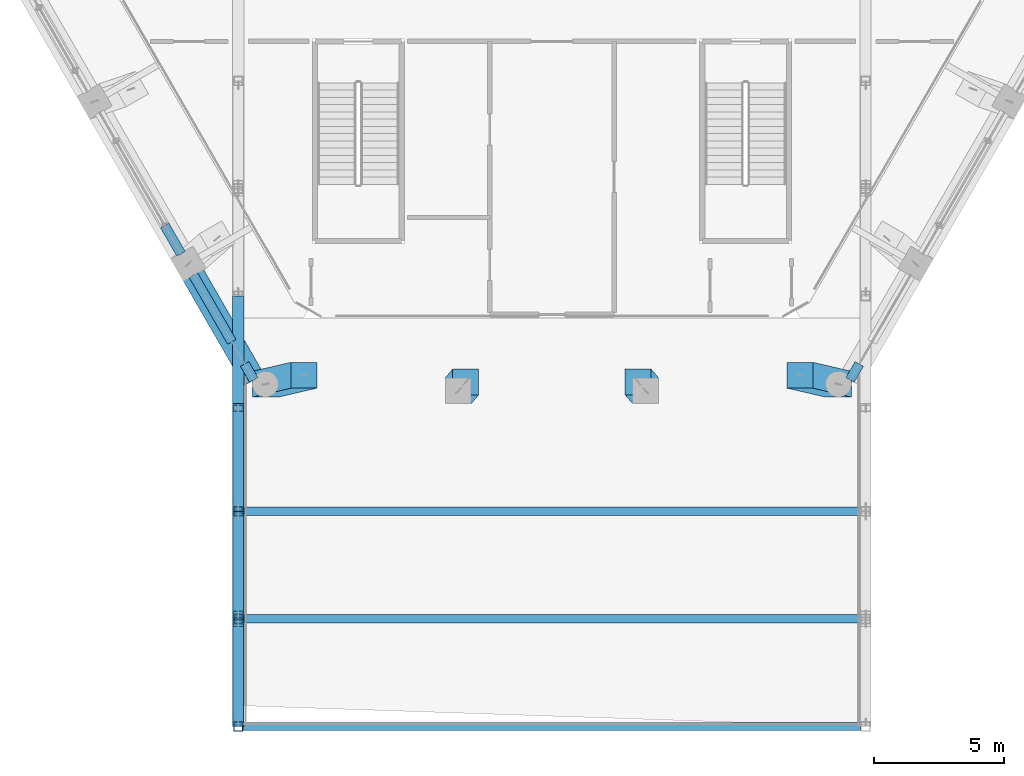
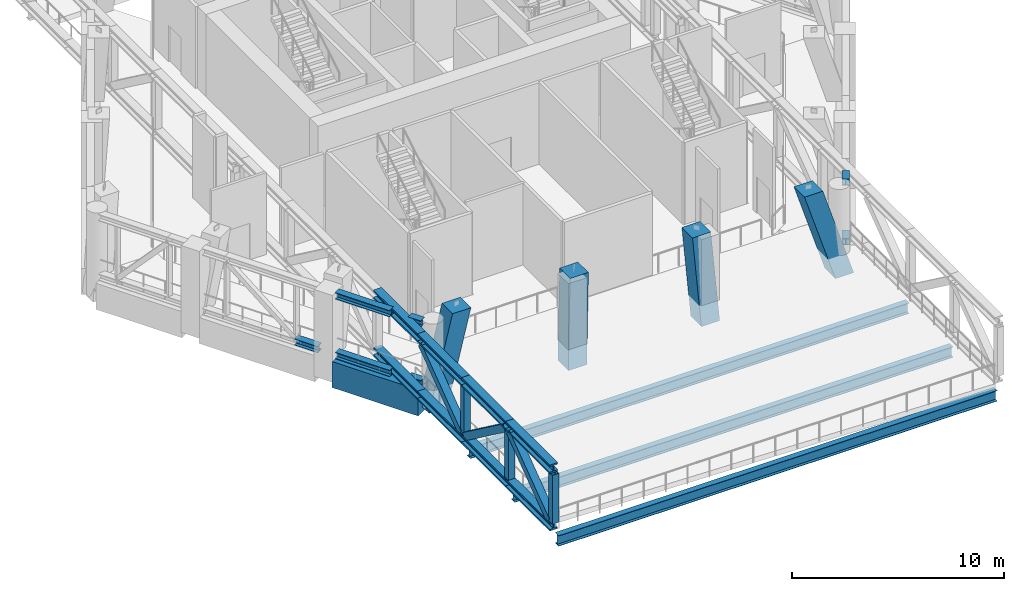
# One storey, part 2 of 22: 25 members, 4 beams.
"""IFC4 building model written with IfcOpenShell, lengths in metres."""

from ifc_helpers import new_model, si_unit, direction, frame, origin, origin_2d, place, context, subcontext, project, spatial, rectangle, hollow_rectangle, i_section, extrude, material, material_profile, profile_set, type_object, element, save


model = new_model("IFC4")

# Units and contexts
model_context = context("Model", 3, precision=1e-05, world=origin(), true_north=direction((0.0, 1.0)))
body_context = subcontext(model_context, "Body", "Model", "MODEL_VIEW")
ifc_project = project(units=[si_unit("LENGTHUNIT", "METRE"), si_unit("AREAUNIT", "SQUARE_METRE"), si_unit("VOLUMEUNIT", "CUBIC_METRE"), si_unit("PLANEANGLEUNIT", "RADIAN"), si_unit("MASSUNIT", "GRAM", prefix="KILO")], contexts=[model_context])

# Site, building, storey
site_placement = place(None, origin())
site = spatial("IfcSite", under=ifc_project, at=site_placement, CompositionType="ELEMENT")
building_placement = place(site_placement, origin())
building = spatial("IfcBuilding", under=site, at=building_placement, Name="Ostrander Bayou Hotel Tower", CompositionType="ELEMENT")
storey_placement = place(building_placement, frame((0.0, 0.0, 209.5)))
storey = spatial("IfcBuildingStorey", under=building, at=storey_placement, Name="L52", CompositionType="ELEMENT", Elevation=209.5)

# Members
ifc_material_1 = material(Name="Steel ASTM A992", Category="steel")
ifc_material_profile_1 = material_profile(ifc_material_1, i_section(OverallWidth=0.37255859375, OverallDepth=0.36767578125, WebThickness=0.014892578125, FlangeThickness=0.02392578125, at=origin_2d()))
ifc_profile_set_1 = profile_set([ifc_material_profile_1], Name="Steel ASTM A992")
member_type_1 = type_object("IfcMemberType", Name="BT5 belt truss chord W14x120", PredefinedType="CHORD", material=ifc_profile_set_1)
member_1_placement = place(storey_placement, frame((-14.947021484375, -10.810791015625, 0.183837890625), z_axis=(0.499996560828, -0.866027389382, 0.0), x_axis=(0.866027389382, 0.499996560828, 0.0)))
element("IfcMember", 1, at=member_1_placement, inside=storey, type_object=member_type_1, Name="BT5 L52 SW-2B2", PredefinedType="CHORD", context=body_context, shape_type="SweptSolid", body=[
    extrude(i_section(OverallWidth=0.37255859375, OverallDepth=0.36767578125, WebThickness=0.014892578125, FlangeThickness=0.02392578125, at=origin_2d()), origin(), (0.0, 0.0, 1.0), 1.25927734375),
])
member_2_placement = place(storey_placement, frame((-13.847412109375, -12.71533203125, 0.183837890625), z_axis=(0.500003486784, -0.866023390679, 0.0), x_axis=(0.866023390679, 0.500003486784, 0.0)))
element("IfcMember", 2, at=member_2_placement, inside=storey, type_object=member_type_1, Name="BT5 L52 SW-3B1", PredefinedType="CHORD", context=body_context, shape_type="SweptSolid", body=[
    extrude(i_section(OverallWidth=0.37255859375, OverallDepth=0.36767578125, WebThickness=0.014892578125, FlangeThickness=0.02392578125, at=origin_2d()), origin(), (0.0, 0.0, 1.0), 2.98291015625),
])
member_3_placement = place(storey_placement, frame((-11.864013671875, -16.15087890625, 0.183837890625), z_axis=(0.499900536046, -0.86608282171, 0.0), x_axis=(0.86608282171, 0.499900536046, 0.0)))
element("IfcMember", 3, at=member_3_placement, inside=storey, type_object=member_type_1, Name="BT5 L52 SW-3B2", PredefinedType="CHORD", context=body_context, shape_type="SweptSolid", body=[
    extrude(i_section(OverallWidth=0.37255859375, OverallDepth=0.36767578125, WebThickness=0.014892578125, FlangeThickness=0.02392578125, at=origin_2d()), origin(), (0.0, 0.0, 1.0), 0.712158203125),
])
member_4_placement = place(storey_placement, frame((-13.847412109375, -12.71533203125, 3.6162109375), z_axis=(0.500003486784, -0.866023390679, 0.0), x_axis=(0.866023390679, 0.500003486784, 0.0)))
element("IfcMember", 4, at=member_4_placement, inside=storey, type_object=member_type_1, Name="BT5 L52 SW-3T1", PredefinedType="CHORD", context=body_context, shape_type="SweptSolid", body=[
    extrude(i_section(OverallWidth=0.37255859375, OverallDepth=0.36767578125, WebThickness=0.014892578125, FlangeThickness=0.02392578125, at=origin_2d()), origin(), (0.0, 0.0, 1.0), 2.98291015625),
])
for number, where, z_axis, x_axis, name in (
    (5, (-11.864013671875, -16.15087890625, 3.6162109375), (0.499900536046, -0.86608282171, 0.0), (0.86608282171, 0.499900536046, 0.0), "BT5 L52 SW-3T2"),
    (6, (11.508056640625, -16.767578125, 0.183837890625), (0.499900536046, 0.86608282171, 0.0), (-0.86608282171, 0.499900536046, 0.0), "BT5 L52 SE-1B1"),
    (7, (11.508056640625, -16.767578125, 3.6162109375), (0.499900536046, 0.86608282171, 0.0), (-0.86608282171, 0.499900536046, 0.0), "BT5 L52 SE-1T1"),
):
    element("IfcMember", number, at=place(storey_placement, frame(where, z_axis=z_axis, x_axis=x_axis)), inside=storey, type_object=member_type_1, Name=name, PredefinedType="CHORD", context=body_context, shape_type="SweptSolid", body=[
        extrude(i_section(OverallWidth=0.37255859375, OverallDepth=0.36767578125, WebThickness=0.014892578125, FlangeThickness=0.02392578125, at=origin_2d()), origin(), (0.0, 0.0, 1.0), 0.712158203125),
    ])
ifc_material_2 = material(Name="Concrete f'c 60 MPa", Category="concrete")
ifc_material_profile_2 = material_profile(ifc_material_2, rectangle(XDim=1.0, YDim=1.0, at=origin_2d()))
ifc_profile_set_2 = profile_set([ifc_material_profile_2], Name="Concrete f'c 60 MPa")
member_type_2 = type_object("IfcMemberType", Name="KC3 kinked column 1000 x 1000 mm f'c 60 MPa", PredefinedType="STRUT", material=ifc_profile_set_2)
member_5_placement = place(storey_placement, frame((-11.06103515625, -16.9326171875, -1.199951171875), z_axis=(0.0, 0.0, 1.0), x_axis=(1.0, 0.0, 0.0)))
element("IfcMember", 8, at=member_5_placement, inside=storey, type_object=member_type_2, Name="KC3 L52 K2", PredefinedType="STRUT", context=body_context, shape_type="SweptSolid", body=[
    extrude(rectangle(XDim=1.0, YDim=1.0, at=origin_2d()), origin(), (0.283852483487, 0.065813419324, 0.956606691099), 5.226806640625),
])
member_6_placement = place(storey_placement, frame((11.06103515625, -16.9326171875, -1.199951171875), z_axis=(0.0, 0.0, 1.0), x_axis=(1.0, 0.0, 0.0)))
element("IfcMember", 9, at=member_6_placement, inside=storey, type_object=member_type_2, Name="KC3 L52 K3", PredefinedType="STRUT", context=body_context, shape_type="SweptSolid", body=[
    extrude(rectangle(XDim=1.0, YDim=1.0, at=origin_2d()), origin(), (-0.283852483487, 0.065813419324, 0.956606691099), 5.226806640625),
])
member_7_placement = place(storey_placement, frame((-3.6181640625, -17.187255859375, -1.199951171875), z_axis=(0.0, 0.0, 1.0), x_axis=(-1.0, 0.0, 0.0)))
element("IfcMember", 10, at=member_7_placement, inside=storey, type_object=member_type_2, Name="KC3 L52 S1", PredefinedType="STRUT", context=body_context, shape_type="SweptSolid", body=[
    extrude(rectangle(XDim=1.0, YDim=1.0, at=origin_2d()), origin(), (-0.057537314589, -0.067167397673, 0.996081321037), 5.019775390625),
])
member_8_placement = place(storey_placement, frame((3.6181640625, -17.187255859375, -1.199951171875), z_axis=(0.0, 0.0, 1.0), x_axis=(-1.0, 0.0, 0.0)))
element("IfcMember", 11, at=member_8_placement, inside=storey, type_object=member_type_2, Name="KC3 L52 S2", PredefinedType="STRUT", context=body_context, shape_type="SweptSolid", body=[
    extrude(rectangle(XDim=1.0, YDim=1.0, at=origin_2d()), origin(), (0.057537314589, -0.067167397673, 0.996081321037), 5.019775390625),
])

# Beams
ifc_material_3 = material(Name="Concrete f'c 60 MPa", Category="concrete")
ifc_material_profile_3 = material_profile(ifc_material_3, rectangle(XDim=0.89990234375, YDim=1.5, at=origin_2d()))
ifc_profile_set_3 = profile_set([ifc_material_profile_3], Name="Concrete f'c 60 MPa")
beam_type_1 = type_object("IfcBeamType", Name="SPB3 belt spandrel beam 900 x 1500 mm f'c 60 MPa", PredefinedType="SPANDREL", material=ifc_profile_set_3)
beam_placement = place(storey_placement, frame((-13.847412109375, -12.71533203125, -0.75), z_axis=(0.499966354109, -0.866044828377, 0.0), x_axis=(0.866044828377, 0.499966354109, 0.0)))
element("IfcBeam", 12, at=beam_placement, inside=storey, type_object=beam_type_1, Name="SP3 L52 SW-3", PredefinedType="SPANDREL", context=body_context, shape_type="SweptSolid", body=[
    extrude(rectangle(XDim=0.89990234375, YDim=1.5, at=origin_2d()), origin(), (0.0, 0.0, 1.0), 4.678955078125),
])
ifc_material_4 = material(Name="Steel ASTM A992", Category="steel")
ifc_material_profile_4 = material_profile(ifc_material_4, i_section(OverallWidth=0.32373046875, OverallDepth=0.611083984375, WebThickness=0.0126953125, FlangeThickness=0.01904296875, at=origin_2d()))
ifc_profile_set_4 = profile_set([ifc_material_profile_4], Name="Steel ASTM A992")
beam_type_2 = type_object("IfcBeamType", Name="TF2 bar floor beam W24x104", PredefinedType="BEAM", material=ifc_profile_set_4)
for number, where, z_axis, x_axis, name in (
    (13, (-11.93212890625, -21.840576171875, -0.605712890625), (1.0, 0.0, 0.0), (0.0, 1.0, 0.0), "TF2 SB4S L5-1"),
    (14, (-11.93212890625, -25.995361328125, -0.605712890625), (1.0, 0.0, 0.0), (0.0, 1.0, 0.0), "TF2 SB4S L5-2"),
    (15, (-11.93212890625, -30.14990234375, -0.605712890625), (1.0, 0.0, 0.0), (0.0, 1.0, 0.0), "TF2 SB4S L5-3"),
):
    element("IfcBeam", number, at=place(storey_placement, frame(where, z_axis=z_axis, x_axis=x_axis)), inside=storey, type_object=beam_type_2, Name=name, PredefinedType="BEAM", context=body_context, shape_type="SweptSolid", body=[
        extrude(i_section(OverallWidth=0.32373046875, OverallDepth=0.611083984375, WebThickness=0.0126953125, FlangeThickness=0.01904296875, at=origin_2d()), origin(), (0.0, 0.0, 1.0), 23.8642578125),
    ])

# Members
ifc_material_5 = material(Name="Steel ASTM A992", Category="steel")
ifc_material_profile_5 = material_profile(ifc_material_5, i_section(OverallWidth=0.43212890625, OverallDepth=0.497802734375, WebThickness=0.0556640625, FlangeThickness=0.0888671875, at=origin_2d()))
ifc_profile_set_5 = profile_set([ifc_material_profile_5], Name="Steel ASTM A992")
member_type_3 = type_object("IfcMemberType", Name="TT1 through-truss chord W14x500", PredefinedType="CHORD", material=ifc_profile_set_5)
for number, where, z_axis, x_axis, name in (
    (16, (-12.110107421875, -13.531005859375, 0.248779296875), (0.0, -1.0, 0.0), (1.0, 0.0, 0.0), "TT1 SB4A B11"),
    (17, (-12.110107421875, -13.531005859375, 3.551025390625), (0.0, -1.0, 0.0), (1.0, 0.0, 0.0), "TT1 SB4A T11"),
    (18, (-12.110107421875, -17.685791015625, 0.248779296875), (0.0, -1.0, 0.0), (1.0, 0.0, 0.0), "TT1 SB4A B12"),
    (19, (-12.110107421875, -17.685791015625, 3.551025390625), (0.0, -1.0, 0.0), (1.0, 0.0, 0.0), "TT1 SB4A T12"),
    (20, (-12.110107421875, -21.840576171875, 0.248779296875), (0.0, -1.0, 0.0), (1.0, 0.0, 0.0), "TT1 SB4A B13"),
    (21, (-12.110107421875, -21.840576171875, 3.551025390625), (0.0, -1.0, 0.0), (1.0, 0.0, 0.0), "TT1 SB4A T13"),
):
    element("IfcMember", number, at=place(storey_placement, frame(where, z_axis=z_axis, x_axis=x_axis)), inside=storey, type_object=member_type_3, Name=name, PredefinedType="CHORD", context=body_context, shape_type="SweptSolid", body=[
        extrude(i_section(OverallWidth=0.43212890625, OverallDepth=0.497802734375, WebThickness=0.0556640625, FlangeThickness=0.0888671875, at=origin_2d()), origin(), (0.0, 0.0, 1.0), 4.15478515625),
    ])
for number, where, z_axis, x_axis, name in (
    (22, (-12.110107421875, -25.995361328125, 0.248779296875), (0.0, -1.0, 0.0), (1.0, 0.0, 0.0), "TT1 SB4A B14"),
    (23, (-12.110107421875, -25.995361328125, 3.551025390625), (0.0, -1.0, 0.0), (1.0, 0.0, 0.0), "TT1 SB4A T14"),
):
    element("IfcMember", number, at=place(storey_placement, frame(where, z_axis=z_axis, x_axis=x_axis)), inside=storey, type_object=member_type_3, Name=name, PredefinedType="CHORD", context=body_context, shape_type="SweptSolid", body=[
        extrude(i_section(OverallWidth=0.43212890625, OverallDepth=0.497802734375, WebThickness=0.0556640625, FlangeThickness=0.0888671875, at=origin_2d()), origin(), (0.0, 0.0, 1.0), 4.154541015625),
    ])
ifc_material_6 = material(Name="Steel ASTM A500 Gr C", Category="steel")
ifc_material_profile_6 = material_profile(ifc_material_6, hollow_rectangle(XDim=0.355712890625, YDim=0.355712890625, WallThickness=0.0146484375, at=origin_2d()))
ifc_profile_set_6 = profile_set([ifc_material_profile_6], Name="Steel ASTM A500 Gr C")
member_type_4 = type_object("IfcMemberType", Name="TT2 through-truss post HSS14x14x5/8", PredefinedType="POST", material=ifc_profile_set_6)
for number, where, z_axis, x_axis, name in (
    (24, (-12.110107421875, -21.840576171875, 0.497802734375), (0.0, 0.0, 1.0), (1.0, 0.0, 0.0), "TT2 SB4A P13"),
    (25, (-12.110107421875, -25.995361328125, 0.497802734375), (0.0, 0.0, 1.0), (1.0, 0.0, 0.0), "TT2 SB4A P14"),
    (26, (-12.110107421875, -30.14990234375, 0.497802734375), (0.0, 0.0, 1.0), (1.0, 0.0, 0.0), "TT2 SB4A P15"),
):
    element("IfcMember", number, at=place(storey_placement, frame(where, z_axis=z_axis, x_axis=x_axis)), inside=storey, type_object=member_type_4, Name=name, PredefinedType="POST", context=body_context, shape_type="SweptSolid", body=[
        extrude(hollow_rectangle(XDim=0.355712890625, YDim=0.355712890625, WallThickness=0.0146484375, at=origin_2d()), origin(), (0.0, 0.0, 1.0), 2.804443359375),
    ])
ifc_material_7 = material(Name="Steel ASTM A572 Gr 50", Category="steel")
ifc_material_profile_7 = material_profile(ifc_material_7, hollow_rectangle(XDim=0.406494140625, YDim=0.406494140625, WallThickness=0.017822265625, at=origin_2d()))
ifc_profile_set_7 = profile_set([ifc_material_profile_7], Name="Steel ASTM A572 Gr 50")
member_type_5 = type_object("IfcMemberType", Name="TT3 through-truss diagonal box 16 x 16 x 3/4", PredefinedType="BRACE", material=ifc_profile_set_7)
for number, where, z_axis, x_axis, name in (
    (27, (-12.110107421875, -21.662841796875, 0.497802734375), (0.0, 0.804555258488, 0.593877795544), (-1.0, 0.0, 0.0), "TT3 SB4A D12"),
    (28, (-12.110107421875, -22.018310546875, 0.497802734375), (0.0, -0.804537023237, 0.593902498935), (1.0, 0.0, 0.0), "TT3 SB4A D13"),
    (29, (-12.110107421875, -29.97216796875, 0.497802734375), (0.0, 0.804537023237, 0.593902498935), (-1.0, 0.0, 0.0), "TT3 SB4A D14"),
):
    element("IfcMember", number, at=place(storey_placement, frame(where, z_axis=z_axis, x_axis=x_axis)), inside=storey, type_object=member_type_5, Name=name, PredefinedType="BRACE", context=body_context, shape_type="SweptSolid", body=[
        extrude(hollow_rectangle(XDim=0.406494140625, YDim=0.406494140625, WallThickness=0.017822265625, at=origin_2d()), origin(), (0.0, 0.0, 1.0), 4.72216796875),
    ])

save(model, "model.ifc")
